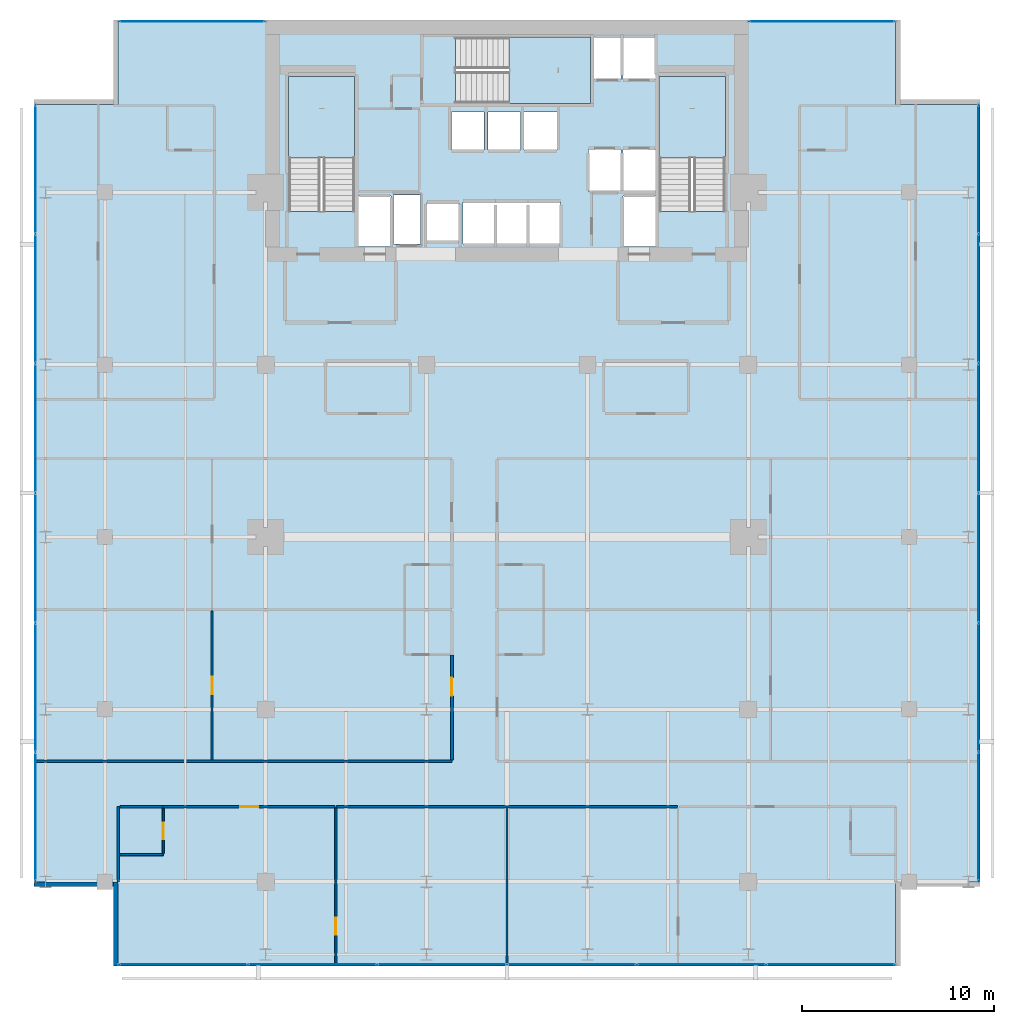
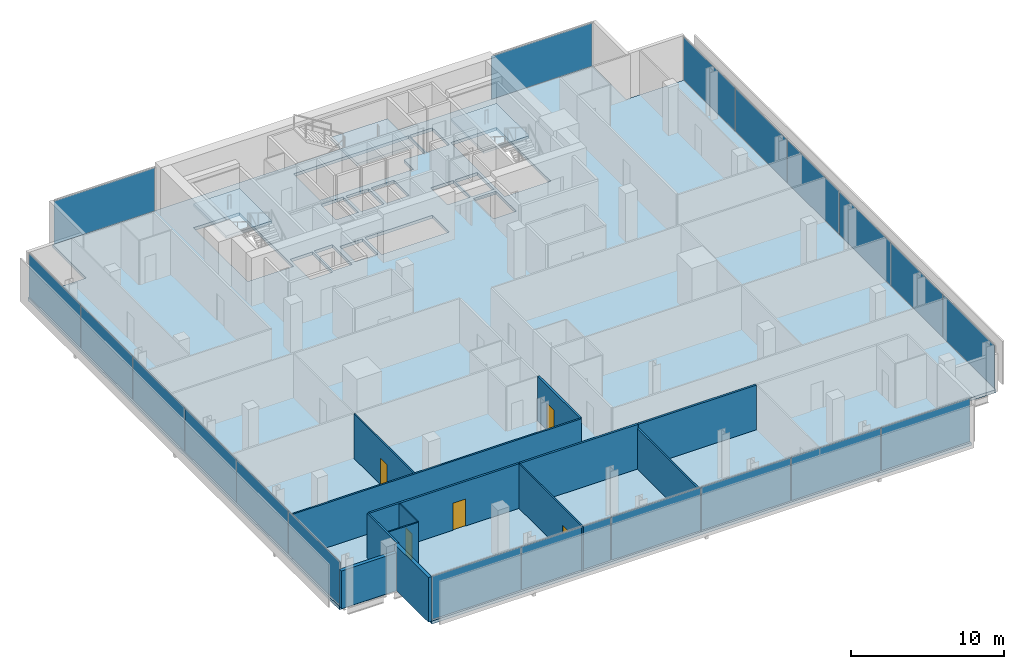
# One storey, part 26 of 32: 20 plates, 14 walls, 5 doors, 4 slabs, 5 openings, 8 elements without a shape of their own.
"""IFC4 building model written with IfcOpenShell, lengths in metres."""

from ifc_helpers import new_model, si_unit, direction, frame, frame_2d, origin, origin_2d, place, context, subcontext, project, spatial, polyline, rectangle, outline, extrude, material, layer, layer_set, type_object, element, fill, aggregate, save


model = new_model("IFC4")

# Units and contexts
model_context = context("Model", 3, precision=1e-05, world=origin(), true_north=direction((0.0, 1.0)))
body_context = subcontext(model_context, "Body", "Model", "MODEL_VIEW")
ifc_project = project(units=[si_unit("LENGTHUNIT", "METRE"), si_unit("AREAUNIT", "SQUARE_METRE"), si_unit("VOLUMEUNIT", "CUBIC_METRE"), si_unit("PLANEANGLEUNIT", "RADIAN"), si_unit("MASSUNIT", "GRAM", prefix="KILO")], contexts=[model_context])

# Site, building, storey
site_placement = place(None, origin())
site = spatial("IfcSite", under=ifc_project, at=site_placement, CompositionType="ELEMENT")
building_placement = place(site_placement, origin())
building = spatial("IfcBuilding", under=site, at=building_placement, Name="Maruvema Waterfront Hotel and Observation Tower", CompositionType="ELEMENT")
storey_placement = place(building_placement, frame((0.0, 0.0, 223.64990234375)))
storey = spatial("IfcBuildingStorey", under=building, at=storey_placement, Name="L55", CompositionType="ELEMENT", Elevation=223.64990234375)

# Slab
ifc_material_1 = material(Name="Concrete C50/60", Category="concrete")
ifc_layer_1 = layer(ifc_material_1, 0.239990234375, Name="Reinforced Concrete Floor Slab 240 mm")
ifc_layer_set_1 = layer_set([ifc_layer_1], Name="Concrete C50/60")
slab_type_1 = type_object("IfcSlabType", Name="Reinforced Concrete Floor Slab 240 mm", PredefinedType="FLOOR", material=ifc_layer_set_1)
slab_1_placement = place(storey_placement, frame((0.0, 0.0, -0.239990234375)))
element("IfcSlab", 1, at=slab_1_placement, inside=storey, type_object=slab_type_1, Name="L55 Structural Floor Slab", PredefinedType="FLOOR", context=body_context, shape_type="SweptSolid", body=[
    extrude(outline(polyline([(17.5, 4.60009765625), (58.10009765625, 4.60009765625), (58.10009765625, 9.0), (62.5, 9.0), (62.5, 49.60009765625), (58.10009765625, 49.60009765625), (58.10009765625, 54.0), (17.5, 54.0), (17.5, 49.60009765625), (13.10009765625, 49.60009765625), (13.10009765625, 9.0), (17.5, 9.0), (17.5, 4.60009765625)]), holes=[polyline([(26.39990234375, 44.00048828125), (26.39990234375, 51.050048828125), (29.85009765625, 51.050048828125), (29.85009765625, 44.00048828125), (26.39990234375, 44.00048828125)]), polyline([(30.050048828125, 44.800048828125), (31.75, 44.800048828125), (31.75, 42.169921875), (30.050048828125, 42.169921875), (30.050048828125, 44.800048828125)]), polyline([(31.8798828125, 44.860107421875), (33.280029296875, 44.860107421875), (33.280029296875, 42.2900390625), (31.8798828125, 42.2900390625), (31.8798828125, 44.860107421875)]), polyline([(33.60009765625, 44.449951171875), (35.300048828125, 44.449951171875), (35.300048828125, 42.449951171875), (33.60009765625, 42.449951171875), (33.60009765625, 44.449951171875)]), polyline([(34.89990234375, 49.199951171875), (36.60009765625, 49.199951171875), (36.60009765625, 47.199951171875), (34.89990234375, 47.199951171875), (34.89990234375, 49.199951171875)]), polyline([(36.800048828125, 49.199951171875), (38.5, 49.199951171875), (38.5, 47.199951171875), (36.800048828125, 47.199951171875), (36.800048828125, 49.199951171875)]), polyline([(35.5, 42.300048828125), (35.5, 44.5), (40.60009765625, 44.5), (40.60009765625, 42.300048828125), (35.5, 42.300048828125)]), polyline([(35.1005859375, 53.10009765625), (43.75, 53.10009765625), (43.75, 50.89990234375), (42.14990234375, 50.89990234375), (42.14990234375, 49.64990234375), (35.1005859375, 49.64990234375), (35.1005859375, 53.10009765625)]), polyline([(38.699951171875, 49.199951171875), (40.39990234375, 49.199951171875), (40.39990234375, 47.199951171875), (38.699951171875, 47.199951171875), (38.699951171875, 49.199951171875)]), polyline([(42.050048828125, 47.25), (43.75, 47.25), (43.75, 45.050048828125), (42.050048828125, 45.050048828125), (42.050048828125, 47.25)]), polyline([(43.85009765625, 44.800048828125), (45.550048828125, 44.800048828125), (45.550048828125, 42.169921875), (43.85009765625, 42.169921875), (43.85009765625, 44.800048828125)]), polyline([(43.85009765625, 47.25), (45.550048828125, 47.25), (45.550048828125, 45.050048828125), (43.85009765625, 45.050048828125), (43.85009765625, 47.25)]), polyline([(45.550048828125, 53.10009765625), (45.550048828125, 50.89990234375), (43.85009765625, 50.89990234375), (43.85009765625, 53.10009765625), (45.550048828125, 53.10009765625)]), polyline([(45.75, 44.00048828125), (45.75, 51.050048828125), (49.199951171875, 51.050048828125), (49.199951171875, 44.00048828125), (45.75, 44.00048828125)])]), origin(), (0.0, 0.0, 1.0), 0.239990234375),
])

# Curtain wall, plates
ifc_material_2 = material(Name="Anodised bronze aluminium and solar-control low-E IGU", Category="aluminium")
ifc_layer_2 = layer(ifc_material_2, 0.159912109375, Name="Zone 2 Amber Inner Thermal Curtain Wall System CW-03")
ifc_layer_set_2 = layer_set([ifc_layer_2], Name="Anodised bronze aluminium and solar-control low-E IGU")
curtain_wall_type = type_object("IfcCurtainWallType", Name="Zone 2 Amber Inner Thermal Curtain Wall System CW-03", PredefinedType="USERDEFINED", material=ifc_layer_set_2)
curtain_wall_1_placement = place(storey_placement, origin())
curtain_wall_1 = element("IfcCurtainWall", 2, at=curtain_wall_1_placement, inside=storey, type_object=curtain_wall_type, Name="L55 Curtain Wall CW-L55-S", ObjectType="UNITISED CURTAIN WALL", PredefinedType="USERDEFINED")
ifc_material_3 = material(Name="Laminated low-E solar-control double glazing", Category="glass")
ifc_layer_3 = layer(ifc_material_3, 0.035888671875, Name="Solar Control Double-Glazed Curtain Panel 36 mm")
ifc_layer_set_3 = layer_set([ifc_layer_3], Name="Laminated low-E solar-control double glazing")
plate_type = type_object("IfcPlateType", Name="Solar Control Double-Glazed Curtain Panel 36 mm", PredefinedType="CURTAIN_PANEL", material=ifc_layer_set_3)
plate_1_placement = place(storey_placement, frame((20.8984375, 4.679931640625, 0.06005859375), z_axis=(0.0, 0.0, 1.0), x_axis=(1.0, 0.0, 0.0)))
plate_1 = element("IfcPlate", 3, at=plate_1_placement, type_object=plate_type, Name="CW-03 panel 1.1", PredefinedType="CURTAIN_PANEL", context=body_context, shape_type="SweptSolid", body=[
    extrude(rectangle(XDim=6.6767578125, YDim=0.028076171875, at=origin_2d()), origin(), (0.0, 0.0, 1.0), 3.429931640625),
])
plate_2_placement = place(storey_placement, frame((27.64990234375, 4.679931640625, 0.06005859375), z_axis=(0.0, 0.0, 1.0), x_axis=(1.0, 0.0, 0.0)))
plate_2 = element("IfcPlate", 4, at=plate_2_placement, type_object=plate_type, Name="CW-03 panel 2.1", PredefinedType="CURTAIN_PANEL", context=body_context, shape_type="SweptSolid", body=[
    extrude(rectangle(XDim=6.706787109375, YDim=0.028076171875, at=origin_2d()), origin(), (0.0, 0.0, 1.0), 3.429931640625),
])
plate_3_placement = place(storey_placement, frame((34.416748046875, 4.679931640625, 0.06005859375), z_axis=(0.0, 0.0, 1.0), x_axis=(1.0, 0.0, 0.0)))
plate_3 = element("IfcPlate", 5, at=plate_3_placement, type_object=plate_type, Name="CW-03 panel 3.1", PredefinedType="CURTAIN_PANEL", context=body_context, shape_type="SweptSolid", body=[
    extrude(rectangle(XDim=6.706787109375, YDim=0.028076171875, at=origin_2d()), origin(), (0.0, 0.0, 1.0), 3.429931640625),
])
plate_4_placement = place(storey_placement, frame((41.183349609375, 4.679931640625, 0.06005859375), z_axis=(0.0, 0.0, 1.0), x_axis=(1.0, 0.0, 0.0)))
plate_4 = element("IfcPlate", 6, at=plate_4_placement, type_object=plate_type, Name="CW-03 panel 4.1", PredefinedType="CURTAIN_PANEL", context=body_context, shape_type="SweptSolid", body=[
    extrude(rectangle(XDim=6.706787109375, YDim=0.028076171875, at=origin_2d()), origin(), (0.0, 0.0, 1.0), 3.429931640625),
])
plate_5_placement = place(storey_placement, frame((47.949951171875, 4.679931640625, 0.06005859375), z_axis=(0.0, 0.0, 1.0), x_axis=(1.0, 0.0, 0.0)))
plate_5 = element("IfcPlate", 7, at=plate_5_placement, type_object=plate_type, Name="CW-03 panel 5.1", PredefinedType="CURTAIN_PANEL", context=body_context, shape_type="SweptSolid", body=[
    extrude(rectangle(XDim=6.706787109375, YDim=0.028076171875, at=origin_2d()), origin(), (0.0, 0.0, 1.0), 3.429931640625),
])
plate_6_placement = place(storey_placement, frame((54.70166015625, 4.679931640625, 0.06005859375), z_axis=(0.0, 0.0, 1.0), x_axis=(1.0, 0.0, 0.0)))
plate_6 = element("IfcPlate", 8, at=plate_6_placement, type_object=plate_type, Name="CW-03 panel 6.1", PredefinedType="CURTAIN_PANEL", context=body_context, shape_type="SweptSolid", body=[
    extrude(rectangle(XDim=6.6767578125, YDim=0.028076171875, at=origin_2d()), origin(), (0.0, 0.0, 1.0), 3.429931640625),
])
aggregate(curtain_wall_1, [plate_1, plate_2, plate_3, plate_4, plate_5, plate_6])

curtain_wall_2_placement = place(storey_placement, origin())
curtain_wall_2 = element("IfcCurtainWall", 9, at=curtain_wall_2_placement, inside=storey, type_object=curtain_wall_type, Name="L55 Curtain Wall CW-L55-E", ObjectType="UNITISED CURTAIN WALL", PredefinedType="USERDEFINED")
plate_7_placement = place(storey_placement, frame((62.419921875, 12.3984375, 0.06005859375), z_axis=(0.0, 0.0, 1.0), x_axis=(0.0, 1.0, 0.0)))
plate_7 = element("IfcPlate", 10, at=plate_7_placement, type_object=plate_type, Name="CW-03 panel 1.1", PredefinedType="CURTAIN_PANEL", context=body_context, shape_type="SweptSolid", body=[
    extrude(rectangle(XDim=6.6767578125, YDim=0.028076171875, at=origin_2d()), origin(), (0.0, 0.0, 1.0), 3.429931640625),
])
plate_8_placement = place(storey_placement, frame((62.419921875, 19.14990234375, 0.06005859375), z_axis=(0.0, 0.0, 1.0), x_axis=(0.0, 1.0, 0.0)))
plate_8 = element("IfcPlate", 11, at=plate_8_placement, type_object=plate_type, Name="CW-03 panel 2.1", PredefinedType="CURTAIN_PANEL", context=body_context, shape_type="SweptSolid", body=[
    extrude(rectangle(XDim=6.706787109375, YDim=0.028076171875, at=origin_2d()), origin(), (0.0, 0.0, 1.0), 3.429931640625),
])
plate_9_placement = place(storey_placement, frame((62.419921875, 25.916748046875, 0.06005859375), z_axis=(0.0, 0.0, 1.0), x_axis=(0.0, 1.0, 0.0)))
plate_9 = element("IfcPlate", 12, at=plate_9_placement, type_object=plate_type, Name="CW-03 panel 3.1", PredefinedType="CURTAIN_PANEL", context=body_context, shape_type="SweptSolid", body=[
    extrude(rectangle(XDim=6.706787109375, YDim=0.028076171875, at=origin_2d()), origin(), (0.0, 0.0, 1.0), 3.429931640625),
])
plate_10_placement = place(storey_placement, frame((62.419921875, 32.683349609375, 0.06005859375), z_axis=(0.0, 0.0, 1.0), x_axis=(0.0, 1.0, 0.0)))
plate_10 = element("IfcPlate", 13, at=plate_10_placement, type_object=plate_type, Name="CW-03 panel 4.1", PredefinedType="CURTAIN_PANEL", context=body_context, shape_type="SweptSolid", body=[
    extrude(rectangle(XDim=6.706787109375, YDim=0.028076171875, at=origin_2d()), origin(), (0.0, 0.0, 1.0), 3.429931640625),
])
plate_11_placement = place(storey_placement, frame((62.419921875, 39.449951171875, 0.06005859375), z_axis=(0.0, 0.0, 1.0), x_axis=(0.0, 1.0, 0.0)))
plate_11 = element("IfcPlate", 14, at=plate_11_placement, type_object=plate_type, Name="CW-03 panel 5.1", PredefinedType="CURTAIN_PANEL", context=body_context, shape_type="SweptSolid", body=[
    extrude(rectangle(XDim=6.706787109375, YDim=0.028076171875, at=origin_2d()), origin(), (0.0, 0.0, 1.0), 3.429931640625),
])
plate_12_placement = place(storey_placement, frame((62.419921875, 46.20166015625, 0.06005859375), z_axis=(0.0, 0.0, 1.0), x_axis=(0.0, 1.0, 0.0)))
plate_12 = element("IfcPlate", 15, at=plate_12_placement, type_object=plate_type, Name="CW-03 panel 6.1", PredefinedType="CURTAIN_PANEL", context=body_context, shape_type="SweptSolid", body=[
    extrude(rectangle(XDim=6.6767578125, YDim=0.028076171875, at=origin_2d()), origin(), (0.0, 0.0, 1.0), 3.429931640625),
])
aggregate(curtain_wall_2, [plate_7, plate_8, plate_9, plate_10, plate_11, plate_12])

curtain_wall_3_placement = place(storey_placement, origin())
curtain_wall_3 = element("IfcCurtainWall", 16, at=curtain_wall_3_placement, inside=storey, type_object=curtain_wall_type, Name="L55 Curtain Wall CW-L55-W", ObjectType="UNITISED CURTAIN WALL", PredefinedType="USERDEFINED")
plate_13_placement = place(storey_placement, frame((13.179931640625, 46.20166015625, 0.06005859375), z_axis=(0.0, 0.0, 1.0), x_axis=(0.0, -1.0, 0.0)))
plate_13 = element("IfcPlate", 17, at=plate_13_placement, type_object=plate_type, Name="CW-03 panel 1.1", PredefinedType="CURTAIN_PANEL", context=body_context, shape_type="SweptSolid", body=[
    extrude(rectangle(XDim=6.6767578125, YDim=0.028076171875, at=origin_2d()), origin(), (0.0, 0.0, 1.0), 3.429931640625),
])
plate_14_placement = place(storey_placement, frame((13.179931640625, 39.449951171875, 0.06005859375), z_axis=(0.0, 0.0, 1.0), x_axis=(0.0, -1.0, 0.0)))
plate_14 = element("IfcPlate", 18, at=plate_14_placement, type_object=plate_type, Name="CW-03 panel 2.1", PredefinedType="CURTAIN_PANEL", context=body_context, shape_type="SweptSolid", body=[
    extrude(rectangle(XDim=6.706787109375, YDim=0.028076171875, at=origin_2d()), origin(), (0.0, 0.0, 1.0), 3.429931640625),
])
plate_15_placement = place(storey_placement, frame((13.179931640625, 32.683349609375, 0.06005859375), z_axis=(0.0, 0.0, 1.0), x_axis=(0.0, -1.0, 0.0)))
plate_15 = element("IfcPlate", 19, at=plate_15_placement, type_object=plate_type, Name="CW-03 panel 3.1", PredefinedType="CURTAIN_PANEL", context=body_context, shape_type="SweptSolid", body=[
    extrude(rectangle(XDim=6.706787109375, YDim=0.028076171875, at=origin_2d()), origin(), (0.0, 0.0, 1.0), 3.429931640625),
])
plate_16_placement = place(storey_placement, frame((13.179931640625, 25.916748046875, 0.06005859375), z_axis=(0.0, 0.0, 1.0), x_axis=(0.0, -1.0, 0.0)))
plate_16 = element("IfcPlate", 20, at=plate_16_placement, type_object=plate_type, Name="CW-03 panel 4.1", PredefinedType="CURTAIN_PANEL", context=body_context, shape_type="SweptSolid", body=[
    extrude(rectangle(XDim=6.706787109375, YDim=0.028076171875, at=origin_2d()), origin(), (0.0, 0.0, 1.0), 3.429931640625),
])
plate_17_placement = place(storey_placement, frame((13.179931640625, 19.14990234375, 0.06005859375), z_axis=(0.0, 0.0, 1.0), x_axis=(0.0, -1.0, 0.0)))
plate_17 = element("IfcPlate", 21, at=plate_17_placement, type_object=plate_type, Name="CW-03 panel 5.1", PredefinedType="CURTAIN_PANEL", context=body_context, shape_type="SweptSolid", body=[
    extrude(rectangle(XDim=6.706787109375, YDim=0.028076171875, at=origin_2d()), origin(), (0.0, 0.0, 1.0), 3.429931640625),
])
plate_18_placement = place(storey_placement, frame((13.179931640625, 12.3984375, 0.06005859375), z_axis=(0.0, 0.0, 1.0), x_axis=(0.0, -1.0, 0.0)))
plate_18 = element("IfcPlate", 22, at=plate_18_placement, type_object=plate_type, Name="CW-03 panel 6.1", PredefinedType="CURTAIN_PANEL", context=body_context, shape_type="SweptSolid", body=[
    extrude(rectangle(XDim=6.6767578125, YDim=0.028076171875, at=origin_2d()), origin(), (0.0, 0.0, 1.0), 3.429931640625),
])
aggregate(curtain_wall_3, [plate_13, plate_14, plate_15, plate_16, plate_17, plate_18])

# Curtain wall, plate
curtain_wall_4_placement = place(storey_placement, origin())
curtain_wall_4 = element("IfcCurtainWall", 23, at=curtain_wall_4_placement, inside=storey, type_object=curtain_wall_type, Name="L55 Curtain Wall CW-L55-NW", ObjectType="UNITISED CURTAIN WALL", PredefinedType="USERDEFINED")
plate_19_placement = place(storey_placement, frame((21.35009765625, 53.919921875, 0.06005859375), z_axis=(0.0, 0.0, 1.0), x_axis=(-1.0, 0.0, 0.0)))
plate_19 = element("IfcPlate", 24, at=plate_19_placement, type_object=plate_type, Name="CW-03 panel 1.1", PredefinedType="CURTAIN_PANEL", context=body_context, shape_type="SweptSolid", body=[
    extrude(rectangle(XDim=7.580078125, YDim=0.028076171875, at=origin_2d()), origin(), (0.0, 0.0, 1.0), 3.429931640625),
])
aggregate(curtain_wall_4, [plate_19])

curtain_wall_5_placement = place(storey_placement, origin())
curtain_wall_5 = element("IfcCurtainWall", 25, at=curtain_wall_5_placement, inside=storey, type_object=curtain_wall_type, Name="L55 Curtain Wall CW-L55-NE", ObjectType="UNITISED CURTAIN WALL", PredefinedType="USERDEFINED")
plate_20_placement = place(storey_placement, frame((54.25, 53.919921875, 0.06005859375), z_axis=(0.0, 0.0, 1.0), x_axis=(-1.0, 0.0, 0.0)))
plate_20 = element("IfcPlate", 26, at=plate_20_placement, type_object=plate_type, Name="CW-03 panel 1.1", PredefinedType="CURTAIN_PANEL", context=body_context, shape_type="SweptSolid", body=[
    extrude(rectangle(XDim=7.580078125, YDim=0.028076171875, at=origin_2d()), origin(), (0.0, 0.0, 1.0), 3.429931640625),
])
aggregate(curtain_wall_5, [plate_20])

# Stair, slab
ifc_material_4 = material(Name="Concrete C50/60", Category="concrete")
stair_type = type_object("IfcStairType", Name="Dogleg Exit Stair 1650 mm (22R x 175.0 mm)", PredefinedType="HALF_TURN_STAIR", material=ifc_material_4)
stair_1_placement = place(storey_placement, origin())
stair_1 = element("IfcStair", 27, at=stair_1_placement, inside=storey, type_object=stair_type, Name="L55 ST-01", PredefinedType="HALF_TURN_STAIR")
ifc_material_5 = material(Name="Concrete C50/60", Category="concrete")
ifc_layer_4 = layer(ifc_material_5, 0.219970703125, Name="Stair Concrete Landing Slab 220 mm")
ifc_layer_set_4 = layer_set([ifc_layer_4], Name="Concrete C50/60")
slab_type_2 = type_object("IfcSlabType", Name="Stair Concrete Landing Slab 220 mm", PredefinedType="LANDING", material=ifc_layer_set_4)
slab_2_placement = place(storey_placement, frame((0.0, 0.0, 1.705078125)))
slab_2 = element("IfcSlab", 28, at=slab_2_placement, type_object=slab_type_2, Name="ST-01 landing 1", PredefinedType="LANDING", context=body_context, shape_type="SweptSolid", body=[
    extrude(outline(polyline([(29.85009765625, 46.800048828125), (29.85009765625, 51.050048828125), (26.39990234375, 51.050048828125), (26.39990234375, 46.800048828125), (29.85009765625, 46.800048828125)])), origin(), (0.0, 0.0, 1.0), 0.219970703125),
])
aggregate(stair_1, [slab_2])

stair_2_placement = place(storey_placement, origin())
stair_2 = element("IfcStair", 29, at=stair_2_placement, inside=storey, type_object=stair_type, Name="L55 ST-02", PredefinedType="HALF_TURN_STAIR")
slab_3_placement = place(storey_placement, frame((0.0, 0.0, 1.705078125)))
slab_3 = element("IfcSlab", 30, at=slab_3_placement, type_object=slab_type_2, Name="ST-02 landing 1", PredefinedType="LANDING", context=body_context, shape_type="SweptSolid", body=[
    extrude(outline(polyline([(37.89990234375, 49.64990234375), (42.14990234375, 49.64990234375), (42.14990234375, 53.10009765625), (37.89990234375, 53.10009765625), (37.89990234375, 49.64990234375)])), origin(), (0.0, 0.0, 1.0), 0.219970703125),
])
aggregate(stair_2, [slab_3])

stair_3_placement = place(storey_placement, origin())
stair_3 = element("IfcStair", 31, at=stair_3_placement, inside=storey, type_object=stair_type, Name="L55 ST-03", PredefinedType="HALF_TURN_STAIR")
slab_4_placement = place(storey_placement, frame((0.0, 0.0, 1.705078125)))
slab_4 = element("IfcSlab", 32, at=slab_4_placement, type_object=slab_type_2, Name="ST-03 landing 1", PredefinedType="LANDING", context=body_context, shape_type="SweptSolid", body=[
    extrude(outline(polyline([(49.199951171875, 46.800048828125), (49.199951171875, 51.050048828125), (45.75, 51.050048828125), (45.75, 46.800048828125), (49.199951171875, 46.800048828125)])), origin(), (0.0, 0.0, 1.0), 0.219970703125),
])
aggregate(stair_3, [slab_4])

# Wall
ifc_material_6 = material(Name="Twin-stud acoustic gypsum drywall", Category="gypsum")
ifc_layer_5 = layer(ifc_material_6, 0.14990234375, Name="Acoustic Corridor and Suite Demising Wall 150 mm")
ifc_layer_set_5 = layer_set([ifc_layer_5], Name="Twin-stud acoustic gypsum drywall")
wall_type_1 = type_object("IfcWallType", Name="Acoustic Corridor and Suite Demising Wall 150 mm", PredefinedType="PARTITIONING", material=ifc_layer_set_5)
wall_1_placement = place(storey_placement, frame((17.580078125, 12.919921875, 0.0), z_axis=(0.0, 0.0, 1.0), x_axis=(1.0, 0.0, 0.0)))
element("IfcWall", 33, at=wall_1_placement, inside=storey, type_object=wall_type_1, Name="L55 Bath L55-S1 Back Wall 027", PredefinedType="PARTITIONING", context=body_context, shape_type="SweptSolid", body=[
    extrude(rectangle(XDim=2.27001953125, YDim=0.14990234375, at=frame_2d((1.135009765625, 0.0))), origin(), (0.0, 0.0, 1.0), 3.550048828125),
])

# Wall, opening, door
wall_2_placement = place(storey_placement, frame((19.85009765625, 12.919921875, 0.0), z_axis=(0.0, 0.0, 1.0), x_axis=(1.0, 0.0, 0.0)))
wall_2 = element("IfcWall", 34, at=wall_2_placement, inside=storey, type_object=wall_type_1, Name="L55 Unit L55-S1 Corridor Wall 030", PredefinedType="PARTITIONING", context=body_context, shape_type="SweptSolid", body=[
    extrude(rectangle(XDim=8.977783203125, YDim=0.14990234375, at=frame_2d((4.48876953125, 0.0))), origin(), (0.0, 0.0, 1.0), 3.550048828125),
])
opening_1_placement = place(wall_2_placement, frame((4.013916015625, 0.0, 0.0)))
opening_1 = element("IfcOpeningElement", 35, at=opening_1_placement, cuts=wall_2, Name="Opening DR-095", PredefinedType="OPENING", context=body_context, shape_type="SweptSolid", body=[
    extrude(rectangle(XDim=0.949951171875, YDim=2.14990234375, at=frame_2d((0.47509765625, 1.074951171875))), frame((0.0, 0.0849609375, 0.0), z_axis=(0.0, -1.0, 0.0), x_axis=(1.0, 0.0, 0.0)), (0.0, 0.0, 1.0), 0.169921875),
])
ifc_material_7 = material(Name="Acoustic solid-core hardwood timber leaf", Category="wood")
door_type_1 = type_object("IfcDoorType", Name="Guestroom Entrance Fire Door 950x2150 mm", OperationType="NOTDEFINED", PredefinedType="DOOR", material=ifc_material_7)
door_1_placement = place(opening_1_placement, frame((0.949951171875, 0.0, 0.0), z_axis=(0.0, 0.0, 1.0), x_axis=(-1.0, 0.0, 0.0)))
door_1 = element("IfcDoor", 36, at=door_1_placement, inside=storey, type_object=door_type_1, Name="L55 Unit L55-S1 Entrance Door", OperationType="SINGLE_SWING_LEFT", OverallHeight=2.14990234375, OverallWidth=0.949951171875, PredefinedType="DOOR", context=body_context, shape_type="SweptSolid", body=[
    extrude(rectangle(XDim=0.949951171875, YDim=2.14990234375, at=frame_2d((0.47509765625, 1.074951171875))), frame((0.0, 0.02490234375, 0.0), z_axis=(0.0, -1.0, 0.0), x_axis=(1.0, 0.0, 0.0)), (0.0, 0.0, 1.0), 0.050048828125),
])
fill(opening_1, door_1)

# Walls
wall_3_placement = place(storey_placement, frame((28.907958984375, 12.919921875, 0.0), z_axis=(0.0, 0.0, 1.0), x_axis=(1.0, 0.0, 0.0)))
element("IfcWall", 37, at=wall_3_placement, inside=storey, type_object=wall_type_1, Name="L55 Bedroom L55-S1 Back Wall 031", PredefinedType="PARTITIONING", context=body_context, shape_type="SweptSolid", body=[
    extrude(rectangle(XDim=8.8720703125, YDim=0.14990234375, at=frame_2d((4.43603515625, 0.0))), origin(), (0.0, 0.0, 1.0), 3.550048828125),
])
wall_4_placement = place(storey_placement, frame((37.820068359375, 12.919921875, 0.0), z_axis=(0.0, 0.0, 1.0), x_axis=(1.0, 0.0, 0.0)))
element("IfcWall", 38, at=wall_4_placement, inside=storey, type_object=wall_type_1, Name="L55 Bedroom L55-S2 Back Wall 037", PredefinedType="PARTITIONING", context=body_context, shape_type="SweptSolid", body=[
    extrude(rectangle(XDim=8.871826171875, YDim=0.14990234375, at=frame_2d((4.43603515625, 0.0))), origin(), (0.0, 0.0, 1.0), 3.550048828125),
])

# Wall, opening, door
wall_5_placement = place(storey_placement, frame((34.919921875, 15.360107421875, 0.0), z_axis=(0.0, 0.0, 1.0), x_axis=(0.0, 1.0, 0.0)))
wall_5 = element("IfcWall", 39, at=wall_5_placement, inside=storey, type_object=wall_type_1, Name="L55 Room L55-W1 Corridor Wall 044", PredefinedType="PARTITIONING", context=body_context, shape_type="SweptSolid", body=[
    extrude(rectangle(XDim=5.489990234375, YDim=0.14990234375, at=frame_2d((2.7451171875, 0.0))), origin(), (0.0, 0.0, 1.0), 3.550048828125),
])
opening_2_placement = place(wall_5_placement, frame((3.35009765625, 0.0, 0.0)))
opening_2 = element("IfcOpeningElement", 40, at=opening_2_placement, cuts=wall_5, Name="Opening DR-095", PredefinedType="OPENING", context=body_context, shape_type="SweptSolid", body=[
    extrude(rectangle(XDim=0.949951171875, YDim=2.14990234375, at=frame_2d((0.47509765625, 1.074951171875))), frame((0.0, 0.0849609375, 0.0), z_axis=(0.0, -1.0, 0.0), x_axis=(1.0, 0.0, 0.0)), (0.0, 0.0, 1.0), 0.169921875),
])
door_2_placement = place(opening_2_placement, origin())
door_2 = element("IfcDoor", 41, at=door_2_placement, inside=storey, type_object=door_type_1, Name="L55 Room L55-W1 Entrance Door", OperationType="SINGLE_SWING_LEFT", OverallHeight=2.14990234375, OverallWidth=0.949951171875, PredefinedType="DOOR", context=body_context, shape_type="SweptSolid", body=[
    extrude(rectangle(XDim=0.949951171875, YDim=2.14990234375, at=frame_2d((0.47509765625, 1.074951171875))), frame((0.0, 0.02490234375, 0.0), z_axis=(0.0, -1.0, 0.0), x_axis=(1.0, 0.0, 0.0)), (0.0, 0.0, 1.0), 0.050048828125),
])
fill(opening_2, door_2)

# Wall
ifc_material_8 = material(Name="Moisture-resistant cement-board drywall", Category="gypsum")
ifc_layer_6 = layer(ifc_material_8, 0.10009765625, Name="En-Suite Moisture-Resistant Partition 100 mm")
ifc_layer_set_6 = layer_set([ifc_layer_6], Name="Moisture-resistant cement-board drywall")
wall_type_2 = type_object("IfcWallType", Name="En-Suite Moisture-Resistant Partition 100 mm", PredefinedType="PARTITIONING", material=ifc_layer_set_6)
wall_6_placement = place(storey_placement, frame((17.580078125, 10.419921875, 0.0), z_axis=(0.0, 0.0, 1.0), x_axis=(1.0, 0.0, 0.0)))
element("IfcWall", 42, at=wall_6_placement, inside=storey, type_object=wall_type_2, Name="L55 En-Suite L55-S1 South 028", PredefinedType="PARTITIONING", context=body_context, shape_type="SweptSolid", body=[
    extrude(rectangle(XDim=2.27001953125, YDim=0.10009765625, at=frame_2d((1.135009765625, 0.0))), origin(), (0.0, 0.0, 1.0), 3.550048828125),
])

# Wall, opening, door
wall_7_placement = place(storey_placement, frame((19.85009765625, 10.47998046875, 0.0), z_axis=(0.0, 0.0, 1.0), x_axis=(0.0, 1.0, 0.0)))
wall_7 = element("IfcWall", 43, at=wall_7_placement, inside=storey, type_object=wall_type_2, Name="L55 En-Suite L55-S1 East 029", PredefinedType="PARTITIONING", context=body_context, shape_type="SweptSolid", body=[
    extrude(rectangle(XDim=2.340087890625, YDim=0.10009765625, at=frame_2d((1.169921875, 0.0))), origin(), (0.0, 0.0, 1.0), 3.550048828125),
])
opening_3_placement = place(wall_7_placement, frame((0.7451171875, 0.0, 0.0)))
opening_3 = element("IfcOpeningElement", 44, at=opening_3_placement, cuts=wall_7, Name="Opening DR-085", PredefinedType="OPENING", context=body_context, shape_type="SweptSolid", body=[
    extrude(rectangle(XDim=0.85009765625, YDim=2.10009765625, at=frame_2d((0.425048828125, 1.050048828125))), frame((0.0, 0.06005859375, 0.0), z_axis=(0.0, -1.0, 0.0), x_axis=(1.0, 0.0, 0.0)), (0.0, 0.0, 1.0), 0.1201171875),
])
ifc_material_9 = material(Name="Moisture-resistant solid timber leaf", Category="wood")
door_type_2 = type_object("IfcDoorType", Name="En-Suite Bathroom Door 850x2100 mm", OperationType="NOTDEFINED", PredefinedType="DOOR", material=ifc_material_9)
door_3_placement = place(opening_3_placement, frame((0.85009765625, 0.0, 0.0), z_axis=(0.0, 0.0, 1.0), x_axis=(-1.0, 0.0, 0.0)))
door_3 = element("IfcDoor", 45, at=door_3_placement, inside=storey, type_object=door_type_2, Name="L55 En-Suite L55-S1 Door", OperationType="SINGLE_SWING_RIGHT", OverallHeight=2.10009765625, OverallWidth=0.85009765625, PredefinedType="DOOR", context=body_context, shape_type="SweptSolid", body=[
    extrude(rectangle(XDim=0.85009765625, YDim=2.10009765625, at=frame_2d((0.425048828125, 1.050048828125))), frame((0.0, 0.02490234375, 0.0), z_axis=(0.0, -1.0, 0.0), x_axis=(1.0, 0.0, 0.0)), (0.0, 0.0, 1.0), 0.050048828125),
])
fill(opening_3, door_3)

wall_8_placement = place(storey_placement, frame((28.867919921875, 4.6298828125, 0.0), z_axis=(0.0, 0.0, 1.0), x_axis=(0.0, 1.0, 0.0)))
wall_8 = element("IfcWall", 46, at=wall_8_placement, inside=storey, type_object=wall_type_2, Name="L55 Suite L55-S1 Split 032", PredefinedType="PARTITIONING", context=body_context, shape_type="SweptSolid", body=[
    extrude(rectangle(XDim=8.230224609375, YDim=0.10009765625, at=frame_2d((4.115234375, 0.0))), origin(), (0.0, 0.0, 1.0), 3.550048828125),
])
opening_4_placement = place(wall_8_placement, frame((1.60009765625, 0.0, 0.0)))
opening_4 = element("IfcOpeningElement", 47, at=opening_4_placement, cuts=wall_8, Name="Opening DR-090", PredefinedType="OPENING", context=body_context, shape_type="SweptSolid", body=[
    extrude(rectangle(XDim=0.89990234375, YDim=2.10009765625, at=frame_2d((0.449951171875, 1.050048828125))), frame((0.0, 0.06005859375, 0.0), z_axis=(0.0, -1.0, 0.0), x_axis=(1.0, 0.0, 0.0)), (0.0, 0.0, 1.0), 0.1201171875),
])
ifc_material_10 = material(Name="Solid-core lacquered timber leaf", Category="wood")
door_type_3 = type_object("IfcDoorType", Name="Accessible Toilet and Room Door 900x2100 mm", OperationType="NOTDEFINED", PredefinedType="DOOR", material=ifc_material_10)
door_4_placement = place(opening_4_placement, origin())
door_4 = element("IfcDoor", 48, at=door_4_placement, inside=storey, type_object=door_type_3, Name="L55 Suite L55-S1 Bedroom Door", OperationType="SINGLE_SWING_RIGHT", OverallHeight=2.10009765625, OverallWidth=0.89990234375, PredefinedType="DOOR", context=body_context, shape_type="SweptSolid", body=[
    extrude(rectangle(XDim=0.89990234375, YDim=2.10009765625, at=frame_2d((0.449951171875, 1.050048828125))), frame((0.0, 0.02490234375, 0.0), z_axis=(0.0, -1.0, 0.0), x_axis=(1.0, 0.0, 0.0)), (0.0, 0.0, 1.0), 0.050048828125),
])
fill(opening_4, door_4)

wall_9_placement = place(storey_placement, frame((22.397705078125, 15.360107421875, 0.0), z_axis=(0.0, 0.0, 1.0), x_axis=(0.0, 1.0, 0.0)))
wall_9 = element("IfcWall", 49, at=wall_9_placement, inside=storey, type_object=wall_type_2, Name="L55 Suite L55-W1 Split 048", PredefinedType="PARTITIONING", context=body_context, shape_type="SweptSolid", body=[
    extrude(rectangle(XDim=7.77978515625, YDim=0.10009765625, at=frame_2d((3.889892578125, 0.0))), origin(), (0.0, 0.0, 1.0), 3.550048828125),
])
opening_5_placement = place(wall_9_placement, frame((3.43994140625, 0.0, 0.0)))
opening_5 = element("IfcOpeningElement", 50, at=opening_5_placement, cuts=wall_9, Name="Opening DR-090", PredefinedType="OPENING", context=body_context, shape_type="SweptSolid", body=[
    extrude(rectangle(XDim=0.89990234375, YDim=2.10009765625, at=frame_2d((0.449951171875, 1.050048828125))), frame((0.0, 0.06005859375, 0.0), z_axis=(0.0, -1.0, 0.0), x_axis=(1.0, 0.0, 0.0)), (0.0, 0.0, 1.0), 0.1201171875),
])
door_5_placement = place(opening_5_placement, origin())
door_5 = element("IfcDoor", 51, at=door_5_placement, inside=storey, type_object=door_type_3, Name="L55 Suite L55-W1 Bedroom Door", OperationType="SINGLE_SWING_RIGHT", OverallHeight=2.10009765625, OverallWidth=0.89990234375, PredefinedType="DOOR", context=body_context, shape_type="SweptSolid", body=[
    extrude(rectangle(XDim=0.89990234375, YDim=2.10009765625, at=frame_2d((0.449951171875, 1.050048828125))), frame((0.0, 0.02490234375, 0.0), z_axis=(0.0, -1.0, 0.0), x_axis=(1.0, 0.0, 0.0)), (0.0, 0.0, 1.0), 0.050048828125),
])
fill(opening_5, door_5)

# Walls
ifc_material_11 = material(Name="Precast concrete C45/55 with honed Pernambuco granite facing", Category="masonry")
ifc_layer_7 = layer(ifc_material_11, 0.260009765625, Name="Exterior Granite Clad Spandrel and Pier Wall 260 mm")
ifc_layer_set_7 = layer_set([ifc_layer_7], Name="Precast concrete C45/55 with honed Pernambuco granite facing")
wall_type_3 = type_object("IfcWallType", Name="Exterior Granite Clad Spandrel and Pier Wall 260 mm", PredefinedType="SOLIDWALL", material=ifc_layer_set_7)
wall_10_placement = place(storey_placement, frame((17.3701171875, 4.60009765625, 0.0), z_axis=(0.0, 0.0, 1.0), x_axis=(0.0, 1.0, 0.0)))
element("IfcWall", 52, at=wall_10_placement, inside=storey, type_object=wall_type_3, Name="L55 Corner Notch Granite Pier Wall SW1", PredefinedType="SOLIDWALL", context=body_context, shape_type="SweptSolid", body=[
    extrude(rectangle(XDim=4.39990234375, YDim=0.260009765625, at=frame_2d((2.199951171875, 0.0))), origin(), (0.0, 0.0, 1.0), 3.550048828125),
])
wall_11_placement = place(storey_placement, frame((17.5, 8.8701171875, 0.0), z_axis=(0.0, 0.0, 1.0), x_axis=(-1.0, 0.0, 0.0)))
element("IfcWall", 53, at=wall_11_placement, inside=storey, type_object=wall_type_3, Name="L55 Corner Notch Granite Pier Wall SW2", PredefinedType="SOLIDWALL", context=body_context, shape_type="SweptSolid", body=[
    extrude(rectangle(XDim=4.39990234375, YDim=0.260009765625, at=frame_2d((2.199951171875, 0.0))), origin(), (0.0, 0.0, 1.0), 3.010986328125),
])
ifc_material_12 = material(Name="Acoustic gypsum plasterboard drywall", Category="gypsum")
ifc_layer_8 = layer(ifc_material_12, 0.125, Name="Guestroom Acoustic Demising Wall 125 mm")
ifc_layer_set_8 = layer_set([ifc_layer_8], Name="Acoustic gypsum plasterboard drywall")
wall_type_4 = type_object("IfcWallType", Name="Guestroom Acoustic Demising Wall 125 mm", PredefinedType="PARTITIONING", material=ifc_layer_set_8)
wall_12_placement = place(storey_placement, frame((17.5, 9.0, 0.0), z_axis=(0.0, 0.0, 1.0), x_axis=(0.0, 1.0, 0.0)))
element("IfcWall", 54, at=wall_12_placement, inside=storey, type_object=wall_type_4, Name="L55 Z2 S West End 025", PredefinedType="PARTITIONING", context=body_context, shape_type="SweptSolid", body=[
    extrude(rectangle(XDim=3.919921875, YDim=0.125, at=frame_2d((1.9599609375, 0.0))), origin(), (0.0, 0.0, 1.0), 3.550048828125),
])
wall_13_placement = place(storey_placement, frame((37.800048828125, 4.699951171875, 0.0), z_axis=(0.0, 0.0, 1.0), x_axis=(0.0, 1.0, 0.0)))
element("IfcWall", 55, at=wall_13_placement, inside=storey, type_object=wall_type_4, Name="L55 Z2 S Demising 2 033", PredefinedType="PARTITIONING", context=body_context, shape_type="SweptSolid", body=[
    extrude(rectangle(XDim=8.219970703125, YDim=0.125, at=frame_2d((4.10986328125, 0.0))), origin(), (0.0, 0.0, 1.0), 3.233154296875),
])
wall_14_placement = place(storey_placement, frame((13.199951171875, 15.300048828125, 0.0), z_axis=(0.0, 0.0, 1.0), x_axis=(1.0, 0.0, 0.0)))
element("IfcWall", 56, at=wall_14_placement, inside=storey, type_object=wall_type_4, Name="L55 Z2 W Bot End 040", PredefinedType="PARTITIONING", context=body_context, shape_type="SweptSolid", body=[
    extrude(rectangle(XDim=21.719970703125, YDim=0.125, at=frame_2d((10.85986328125, 0.0))), origin(), (0.0, 0.0, 1.0), 3.550048828125),
])

save(model, "model.ifc")
